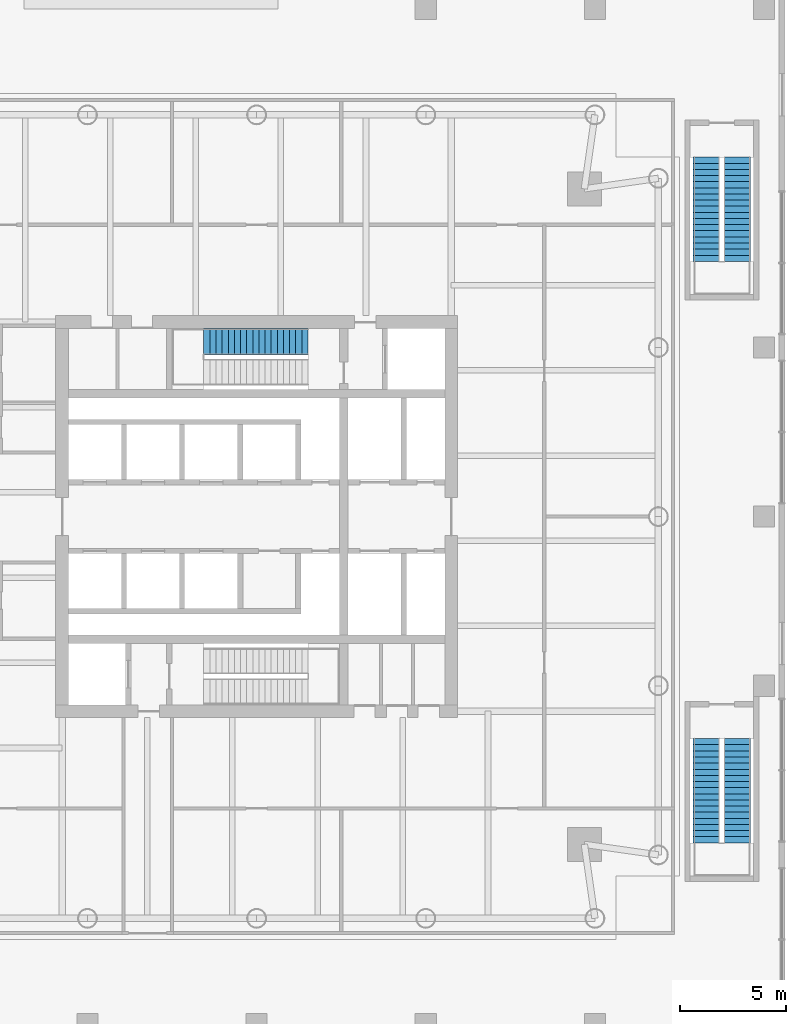
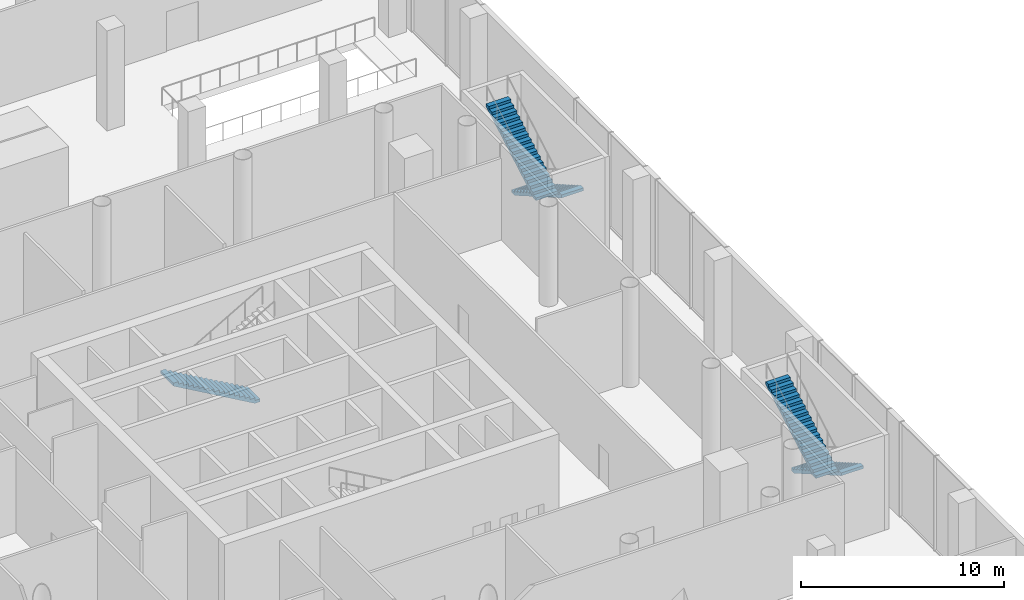
# One storey, part 35 of 39: 5 stair flights, 3 elements without a shape of their own.
"""IFC4 building model written with IfcOpenShell, lengths in metres."""

import ifcopenshell
import ifcopenshell.guid

model = None  # the IFC model being written
_history = None  # IfcOwnerHistory: only IFC2X3 demands one
_inside = {}  # id of a spatial element -> (the spatial element, [elements in it])
_under = {}  # id of a project, library or spatial element -> (it, [spatial elements below it])
_declared = {}  # id of a project -> (the project, [libraries it declares])
_typed = {}  # id of a type object -> (the type object, [elements of that type])
_made_of = {}  # id of a material, layer set ... -> (it, [elements and type objects made of it])


def new_model(schema):
    """Start an empty IFC model of exactly this schema.

    Asked for "IFC4X3", IfcOpenShell would pick the latest addendum, in which some entities
    have other attributes; the version numbers below select the first issue.
    IFC2X3 requires an IfcOwnerHistory on every rooted entity: one is made here for all.
    """
    global model, _history
    if schema == "IFC4X3":
        model = ifcopenshell.file(schema_version=(4, 3, 0, 0))
    else:
        model = ifcopenshell.file(schema=schema)
    _inside.clear()
    _under.clear()
    _declared.clear()
    _typed.clear()
    _made_of.clear()
    _history = None
    if model.schema == "IFC2X3":
        org = make("IfcOrganization", Name="unknown")
        user = make(
            "IfcPersonAndOrganization",
            ThePerson=make("IfcPerson", FamilyName="unknown"),
            TheOrganization=org,
        )
        app = make(
            "IfcApplication",
            ApplicationDeveloper=org,
            Version="unknown",
            ApplicationFullName="unknown",
            ApplicationIdentifier="unknown",
        )
        _history = make(
            "IfcOwnerHistory",
            OwningUser=user,
            OwningApplication=app,
            ChangeAction="ADDED",
            CreationDate=0,
        )
    return model


def make(cls, **values):
    """One entity of the class cls with the attributes given. An attribute that is None is left unset."""
    return model.create_entity(
        cls, **{name: value for name, value in values.items() if value is not None}
    )


def rooted(cls, **values):
    """An entity with a GlobalId (a new one), such as an element, a storey or a relation."""
    return make(cls, GlobalId=ifcopenshell.guid.new(), OwnerHistory=_history, **values)


def si_unit(unit_type, name, prefix=None):
    """IfcSIUnit, for example si_unit("LENGTHUNIT", "METRE", prefix="MILLI")."""
    return make("IfcSIUnit", UnitType=unit_type, Prefix=prefix, Name=name)


def assignment(units):
    """IfcUnitAssignment: the units of a project."""
    return None if units is None else make("IfcUnitAssignment", Units=units)


def point(xyz):
    """IfcCartesianPoint."""
    return None if xyz is None else make("IfcCartesianPoint", Coordinates=xyz)


def direction(xyz):
    """IfcDirection."""
    return None if xyz is None else make("IfcDirection", DirectionRatios=xyz)


def frame(location, z_axis=None, x_axis=None):
    """IfcAxis2Placement3D, a coordinate frame: its origin and axes. An axis left out is left unset."""
    return make(
        "IfcAxis2Placement3D",
        Location=point(location),
        Axis=direction(z_axis),
        RefDirection=direction(x_axis),
    )


def origin():
    """The frame at (0, 0, 0) with its axes left unset."""
    return frame((0.0, 0.0, 0.0))


def place(relative_to, where):
    """IfcLocalPlacement: puts the frame where relative to a parent placement (None: the world)."""
    return make(
        "IfcLocalPlacement", PlacementRelTo=relative_to, RelativePlacement=where
    )


def context(
    kind, dimensions, precision=None, world=None, true_north=None, identifier=None
):
    """IfcGeometricRepresentationContext, for example the 3D "Model" context."""
    return make(
        "IfcGeometricRepresentationContext",
        ContextIdentifier=identifier,
        ContextType=kind,
        CoordinateSpaceDimension=dimensions,
        Precision=precision,
        WorldCoordinateSystem=world,
        TrueNorth=true_north,
    )


def subcontext(parent, identifier, kind, view, scale=None):
    """IfcGeometricRepresentationSubContext, for example "Body" below "Model"."""
    return make(
        "IfcGeometricRepresentationSubContext",
        ContextIdentifier=identifier,
        ContextType=kind,
        ParentContext=parent,
        TargetScale=scale,
        TargetView=view,
    )


def project(units=None, contexts=None):
    """IfcProject with its units and contexts."""
    return rooted(
        "IfcProject",
        Name="project",
        RepresentationContexts=contexts,
        UnitsInContext=assignment(units),
    )


def spatial(cls, under=None, at=None, **own):
    """A site, building, storey or space (cls), placed at a placement, below another one or the project."""
    s = rooted(cls, ObjectPlacement=at, **own)
    if under is not None:
        _under.setdefault(under.id(), (under, []))[1].append(s)
    return s


def polyline(points):
    """IfcPolyline through the points."""
    return make("IfcPolyline", Points=[point(p) for p in points])


def outline(outer, holes=None, kind="AREA"):
    """IfcArbitraryClosedProfileDef: a profile drawn as a closed curve; with holes, ...WithVoids."""
    if holes is None:
        return make("IfcArbitraryClosedProfileDef", ProfileType=kind, OuterCurve=outer)
    return make(
        "IfcArbitraryProfileDefWithVoids",
        ProfileType=kind,
        OuterCurve=outer,
        InnerCurves=holes,
    )


def extrude(swept, where, along, depth):
    """IfcExtrudedAreaSolid: the profile swept, set in the frame where, extruded along a direction by depth."""
    return make(
        "IfcExtrudedAreaSolid",
        SweptArea=swept,
        Position=where,
        ExtrudedDirection=direction(along),
        Depth=depth,
    )


def shape(context_of_items, identifier, shape_type, items):
    """IfcShapeRepresentation: the items that make up one representation, for example the "Body"."""
    return make(
        "IfcShapeRepresentation",
        ContextOfItems=context_of_items,
        RepresentationIdentifier=identifier,
        RepresentationType=shape_type,
        Items=items,
    )


def material(Name=None, Category=None):
    """IfcMaterial."""
    return make("IfcMaterial", Name=Name, Category=Category)


def made_of(thing, what):
    """Note that an element or type object is made of a material, layer set ...; save() writes the relation."""
    if what is not None:
        _made_of.setdefault(what.id(), (what, []))[1].append(thing)
    return thing


def type_object(cls, material=None, **own):
    """A type object (cls), such as IfcWallType, which elements share."""
    return made_of(rooted(cls, **own), material)


def element(
    cls,
    number,
    at=None,
    inside=None,
    cuts=None,
    type_object=None,
    material=None,
    context=None,
    identifier="Body",
    shape_type=None,
    held_by="IfcProductDefinitionShape",
    body=None,
    shapes=None,
    **own,
):
    """One element of the class cls, such as IfcWall. Its Tag is "e" and its number.

    at: its placement. inside: the storey or other place that contains it. cuts: it is an
    opening in that element (IfcRelVoidsElement). A single representation is given by context,
    identifier, shape_type and body (its items); several are given by shapes. held_by: the class
    of the entity that holds the representations. save() writes the other relations.
    """
    e = rooted(cls, Tag="e%d" % number, ObjectPlacement=at, **own)
    if body is not None:
        shapes = [shape(context, identifier, shape_type, body)]
    if shapes is not None:
        e.Representation = make(held_by, Representations=shapes)
    if inside is not None:
        _inside.setdefault(inside.id(), (inside, []))[1].append(e)
    if cuts is not None:
        rooted(
            "IfcRelVoidsElement", RelatingBuildingElement=cuts, RelatedOpeningElement=e
        )
    if type_object is not None:
        _typed.setdefault(type_object.id(), (type_object, []))[1].append(e)
    return made_of(e, material)


def aggregate(whole, parts):
    """IfcRelAggregates: a whole, such as a stair, and the parts it consists of."""
    return rooted("IfcRelAggregates", RelatingObject=whole, RelatedObjects=parts)


def save(model, path):
    """Write the relations noted so far, then the file.

    IfcRelAggregates (storeys below a building ...), IfcRelContainedInSpatialStructure (elements
    in a storey), IfcRelDefinesByType, IfcRelAssociatesMaterial and IfcRelDeclares: one each for
    every whole, place, type object, material and project.
    """
    for whole, parts in _under.values():
        aggregate(whole, parts)
    for where, things in _inside.values():
        rooted(
            "IfcRelContainedInSpatialStructure",
            RelatedElements=things,
            RelatingStructure=where,
        )
    for kind, things in _typed.values():
        rooted("IfcRelDefinesByType", RelatedObjects=things, RelatingType=kind)
    for what, things in _made_of.values():
        rooted("IfcRelAssociatesMaterial", RelatedObjects=things, RelatingMaterial=what)
    for by, libraries in _declared.values():
        rooted("IfcRelDeclares", RelatingContext=by, RelatedDefinitions=libraries)
    model.write(path)


model = new_model("IFC4")

# Units and contexts
model_context = context("Model", 3, precision=1e-05, world=origin(), true_north=direction((0.0, 1.0)))
body_context = subcontext(model_context, "Body", "Model", "MODEL_VIEW")
ifc_project = project(units=[si_unit("LENGTHUNIT", "METRE"), si_unit("AREAUNIT", "SQUARE_METRE"), si_unit("VOLUMEUNIT", "CUBIC_METRE"), si_unit("PLANEANGLEUNIT", "RADIAN"), si_unit("MASSUNIT", "GRAM", prefix="KILO")], contexts=[model_context])

# Site, building, storey
site_placement = place(None, origin())
site = spatial("IfcSite", under=ifc_project, at=site_placement, CompositionType="ELEMENT")
building_placement = place(site_placement, origin())
building = spatial("IfcBuilding", under=site, at=building_placement, Name="Ostroluk Exchange", CompositionType="ELEMENT")
storey_placement = place(building_placement, origin())
storey = spatial("IfcBuildingStorey", under=building, at=storey_placement, Name="L00", CompositionType="ELEMENT", Elevation=0.0)

# Stair, stair flight
ifc_material_1 = material(Name="Concrete C30/37", Category="concrete")
stair_type = type_object("IfcStairType", Name="Exit stair half turn 6000", PredefinedType="HALF_TURN_STAIR", material=ifc_material_1)
stair_1_placement = place(storey_placement, origin())
stair_1 = element("IfcStair", 1, at=stair_1_placement, inside=storey, type_object=stair_type, Name="Stair T2-S2 L00", PredefinedType="HALF_TURN_STAIR")
ifc_material_2 = material(Name="Concrete C30/37", Category="concrete")
stair_flight_type = type_object("IfcStairFlightType", Name="Stair flight 18 risers 166.7 x 290", PredefinedType="STRAIGHT", material=ifc_material_2)
stair_flight_1_placement = place(storey_placement, frame((119.429931640625, 54.27490234375, 0.0), z_axis=(0.0, 0.0, 1.0), x_axis=(-1.0, 0.0, 0.0)))
stair_flight_1 = element("IfcStairFlight", 2, at=stair_flight_1_placement, type_object=stair_flight_type, Name="T2-S2 flight 1", NumberOfRisers=18, NumberOfTreads=17, PredefinedType="STRAIGHT", RiserHeight=0.166666667, TreadLength=0.29, context=body_context, shape_type="SweptSolid", body=[
    extrude(outline(polyline([(0.0, 0.0), (0.0, 0.166748046875), (0.2900390625, 0.166748046875), (0.2900390625, 0.333251953125), (0.580078125, 0.333251953125), (0.580078125, 0.5), (0.8701171875, 0.5), (0.8701171875, 0.666748046875), (1.159912109375, 0.666748046875), (1.159912109375, 0.833251953125), (1.449951171875, 0.833251953125), (1.449951171875, 1.0), (1.739990234375, 1.0), (1.739990234375, 1.166748046875), (2.030029296875, 1.166748046875), (2.030029296875, 1.333251953125), (2.320068359375, 1.333251953125), (2.320068359375, 1.5), (2.610107421875, 1.5), (2.610107421875, 1.666748046875), (2.89990234375, 1.666748046875), (2.89990234375, 1.833251953125), (3.18994140625, 1.833251953125), (3.18994140625, 2.0), (3.47998046875, 2.0), (3.47998046875, 2.166748046875), (3.77001953125, 2.166748046875), (3.77001953125, 2.333251953125), (4.06005859375, 2.333251953125), (4.06005859375, 2.5), (4.35009765625, 2.5), (4.35009765625, 2.666748046875), (4.639892578125, 2.666748046875), (4.639892578125, 2.833251953125), (4.929931640625, 2.833251953125), (4.929931640625, 3.0), (4.929931640625, 2.660400390625), (0.30078125, 0.0), (0.0, 0.0)])), frame((0.0, 0.625, 0.0), z_axis=(0.0, -1.0, 0.0), x_axis=(1.0, 0.0, 0.0)), (0.0, 0.0, 1.0), 1.25),
])
aggregate(stair_1, [stair_flight_1])

# Stair, stair flights
stair_2_placement = place(storey_placement, origin())
stair_2 = element("IfcStair", 3, at=stair_2_placement, inside=storey, type_object=stair_type, Name="Stair PS7 L00", PredefinedType="HALF_TURN_STAIR")
stair_flight_2_placement = place(storey_placement, frame((139.72509765625, 35.5, 0.0), z_axis=(0.0, 0.0, 1.0), x_axis=(0.0, -1.0, 0.0)))
stair_flight_2 = element("IfcStairFlight", 4, at=stair_flight_2_placement, type_object=stair_flight_type, Name="PS7 flight 1", NumberOfRisers=18, NumberOfTreads=17, PredefinedType="STRAIGHT", RiserHeight=0.166666667, TreadLength=0.29, context=body_context, shape_type="SweptSolid", body=[
    extrude(outline(polyline([(0.0, 0.0), (0.0, 0.166748046875), (0.2900390625, 0.166748046875), (0.2900390625, 0.333251953125), (0.580078125, 0.333251953125), (0.580078125, 0.5), (0.8701171875, 0.5), (0.8701171875, 0.666748046875), (1.159912109375, 0.666748046875), (1.159912109375, 0.833251953125), (1.449951171875, 0.833251953125), (1.449951171875, 1.0), (1.739990234375, 1.0), (1.739990234375, 1.166748046875), (2.030029296875, 1.166748046875), (2.030029296875, 1.333251953125), (2.320068359375, 1.333251953125), (2.320068359375, 1.5), (2.610107421875, 1.5), (2.610107421875, 1.666748046875), (2.89990234375, 1.666748046875), (2.89990234375, 1.833251953125), (3.18994140625, 1.833251953125), (3.18994140625, 2.0), (3.47998046875, 2.0), (3.47998046875, 2.166748046875), (3.77001953125, 2.166748046875), (3.77001953125, 2.333251953125), (4.06005859375, 2.333251953125), (4.06005859375, 2.5), (4.35009765625, 2.5), (4.35009765625, 2.666748046875), (4.639892578125, 2.666748046875), (4.639892578125, 2.833251953125), (4.929931640625, 2.833251953125), (4.929931640625, 3.0), (4.929931640625, 2.660400390625), (0.30078125, 0.0), (0.0, 0.0)])), frame((0.0, 0.625, 0.0), z_axis=(0.0, -1.0, 0.0), x_axis=(1.0, 0.0, 0.0)), (0.0, 0.0, 1.0), 1.25),
])
stair_flight_3_placement = place(storey_placement, frame((138.27490234375, 30.570068359375, 3.0), z_axis=(0.0, 0.0, 1.0), x_axis=(0.0, 1.0, 0.0)))
stair_flight_3 = element("IfcStairFlight", 5, at=stair_flight_3_placement, type_object=stair_flight_type, Name="PS7 flight 2", NumberOfRisers=18, NumberOfTreads=17, PredefinedType="STRAIGHT", RiserHeight=0.166666667, TreadLength=0.29, context=body_context, shape_type="SweptSolid", body=[
    extrude(outline(polyline([(0.0, 0.0), (0.0, 0.166748046875), (0.2900390625, 0.166748046875), (0.2900390625, 0.333251953125), (0.580078125, 0.333251953125), (0.580078125, 0.5), (0.8701171875, 0.5), (0.8701171875, 0.666748046875), (1.159912109375, 0.666748046875), (1.159912109375, 0.833251953125), (1.449951171875, 0.833251953125), (1.449951171875, 1.0), (1.739990234375, 1.0), (1.739990234375, 1.166748046875), (2.030029296875, 1.166748046875), (2.030029296875, 1.333251953125), (2.320068359375, 1.333251953125), (2.320068359375, 1.5), (2.610107421875, 1.5), (2.610107421875, 1.666748046875), (2.89990234375, 1.666748046875), (2.89990234375, 1.833251953125), (3.18994140625, 1.833251953125), (3.18994140625, 2.0), (3.47998046875, 2.0), (3.47998046875, 2.166748046875), (3.77001953125, 2.166748046875), (3.77001953125, 2.333251953125), (4.06005859375, 2.333251953125), (4.06005859375, 2.5), (4.35009765625, 2.5), (4.35009765625, 2.666748046875), (4.639892578125, 2.666748046875), (4.639892578125, 2.833251953125), (4.929931640625, 2.833251953125), (4.929931640625, 3.0), (4.929931640625, 2.660400390625), (0.30078125, 0.0), (0.0, 0.0)])), frame((0.0, 0.625, 0.0), z_axis=(0.0, -1.0, 0.0), x_axis=(1.0, 0.0, 0.0)), (0.0, 0.0, 1.0), 1.25),
])
aggregate(stair_2, [stair_flight_2, stair_flight_3])

stair_3_placement = place(storey_placement, origin())
stair_3 = element("IfcStair", 6, at=stair_3_placement, inside=storey, type_object=stair_type, Name="Stair PS8 L00", PredefinedType="HALF_TURN_STAIR")
stair_flight_4_placement = place(storey_placement, frame((139.72509765625, 63.0, 0.0), z_axis=(0.0, 0.0, 1.0), x_axis=(0.0, -1.0, 0.0)))
stair_flight_4 = element("IfcStairFlight", 7, at=stair_flight_4_placement, type_object=stair_flight_type, Name="PS8 flight 1", NumberOfRisers=18, NumberOfTreads=17, PredefinedType="STRAIGHT", RiserHeight=0.166666667, TreadLength=0.29, context=body_context, shape_type="SweptSolid", body=[
    extrude(outline(polyline([(0.0, 0.0), (0.0, 0.166748046875), (0.2900390625, 0.166748046875), (0.2900390625, 0.333251953125), (0.580078125, 0.333251953125), (0.580078125, 0.5), (0.8701171875, 0.5), (0.8701171875, 0.666748046875), (1.159912109375, 0.666748046875), (1.159912109375, 0.833251953125), (1.449951171875, 0.833251953125), (1.449951171875, 1.0), (1.739990234375, 1.0), (1.739990234375, 1.166748046875), (2.030029296875, 1.166748046875), (2.030029296875, 1.333251953125), (2.320068359375, 1.333251953125), (2.320068359375, 1.5), (2.610107421875, 1.5), (2.610107421875, 1.666748046875), (2.89990234375, 1.666748046875), (2.89990234375, 1.833251953125), (3.18994140625, 1.833251953125), (3.18994140625, 2.0), (3.47998046875, 2.0), (3.47998046875, 2.166748046875), (3.77001953125, 2.166748046875), (3.77001953125, 2.333251953125), (4.06005859375, 2.333251953125), (4.06005859375, 2.5), (4.35009765625, 2.5), (4.35009765625, 2.666748046875), (4.639892578125, 2.666748046875), (4.639892578125, 2.833251953125), (4.929931640625, 2.833251953125), (4.929931640625, 3.0), (4.929931640625, 2.660400390625), (0.30078125, 0.0), (0.0, 0.0)])), frame((0.0, 0.625, 0.0), z_axis=(0.0, -1.0, 0.0), x_axis=(1.0, 0.0, 0.0)), (0.0, 0.0, 1.0), 1.25),
])
stair_flight_5_placement = place(storey_placement, frame((138.27490234375, 58.070068359375, 3.0), z_axis=(0.0, 0.0, 1.0), x_axis=(0.0, 1.0, 0.0)))
stair_flight_5 = element("IfcStairFlight", 8, at=stair_flight_5_placement, type_object=stair_flight_type, Name="PS8 flight 2", NumberOfRisers=18, NumberOfTreads=17, PredefinedType="STRAIGHT", RiserHeight=0.166666667, TreadLength=0.29, context=body_context, shape_type="SweptSolid", body=[
    extrude(outline(polyline([(0.0, 0.0), (0.0, 0.166748046875), (0.2900390625, 0.166748046875), (0.2900390625, 0.333251953125), (0.580078125, 0.333251953125), (0.580078125, 0.5), (0.8701171875, 0.5), (0.8701171875, 0.666748046875), (1.159912109375, 0.666748046875), (1.159912109375, 0.833251953125), (1.449951171875, 0.833251953125), (1.449951171875, 1.0), (1.739990234375, 1.0), (1.739990234375, 1.166748046875), (2.030029296875, 1.166748046875), (2.030029296875, 1.333251953125), (2.320068359375, 1.333251953125), (2.320068359375, 1.5), (2.610107421875, 1.5), (2.610107421875, 1.666748046875), (2.89990234375, 1.666748046875), (2.89990234375, 1.833251953125), (3.18994140625, 1.833251953125), (3.18994140625, 2.0), (3.47998046875, 2.0), (3.47998046875, 2.166748046875), (3.77001953125, 2.166748046875), (3.77001953125, 2.333251953125), (4.06005859375, 2.333251953125), (4.06005859375, 2.5), (4.35009765625, 2.5), (4.35009765625, 2.666748046875), (4.639892578125, 2.666748046875), (4.639892578125, 2.833251953125), (4.929931640625, 2.833251953125), (4.929931640625, 3.0), (4.929931640625, 2.660400390625), (0.30078125, 0.0), (0.0, 0.0)])), frame((0.0, 0.625, 0.0), z_axis=(0.0, -1.0, 0.0), x_axis=(1.0, 0.0, 0.0)), (0.0, 0.0, 1.0), 1.25),
])
aggregate(stair_3, [stair_flight_4, stair_flight_5])

save(model, "model.ifc")
